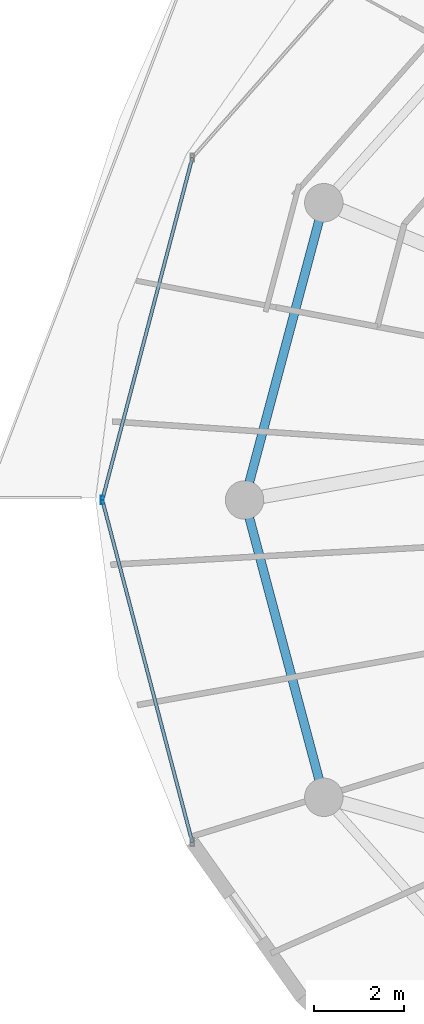
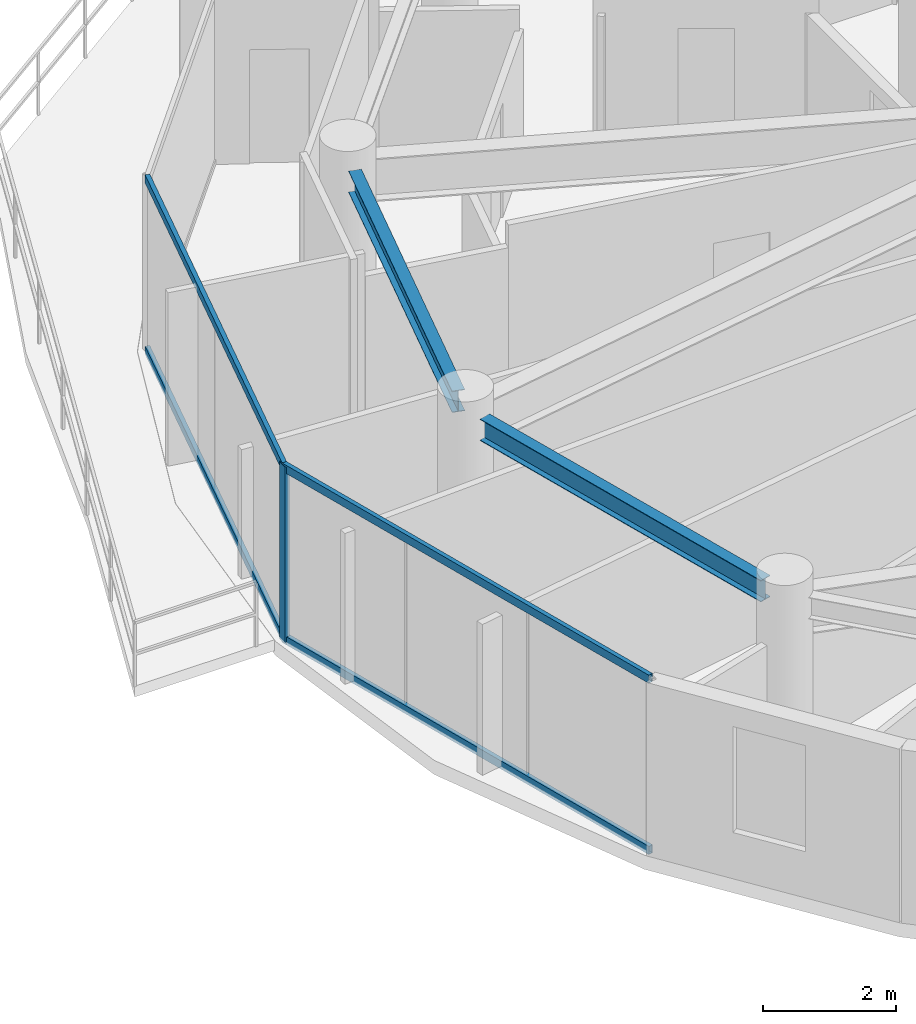
# One storey, part 5 of 25: 5 members, 2 beams, 1 element without a shape of its own.
"""IFC4 building model written with IfcOpenShell, lengths in metres."""

import ifcopenshell
import ifcopenshell.guid

model = None  # the IFC model being written
_history = None  # IfcOwnerHistory: only IFC2X3 demands one
_inside = {}  # id of a spatial element -> (the spatial element, [elements in it])
_under = {}  # id of a project, library or spatial element -> (it, [spatial elements below it])
_declared = {}  # id of a project -> (the project, [libraries it declares])
_typed = {}  # id of a type object -> (the type object, [elements of that type])
_made_of = {}  # id of a material, layer set ... -> (it, [elements and type objects made of it])


def new_model(schema):
    """Start an empty IFC model of exactly this schema.

    Asked for "IFC4X3", IfcOpenShell would pick the latest addendum, in which some entities
    have other attributes; the version numbers below select the first issue.
    IFC2X3 requires an IfcOwnerHistory on every rooted entity: one is made here for all.
    """
    global model, _history
    if schema == "IFC4X3":
        model = ifcopenshell.file(schema_version=(4, 3, 0, 0))
    else:
        model = ifcopenshell.file(schema=schema)
    _inside.clear()
    _under.clear()
    _declared.clear()
    _typed.clear()
    _made_of.clear()
    _history = None
    if model.schema == "IFC2X3":
        org = make("IfcOrganization", Name="unknown")
        user = make(
            "IfcPersonAndOrganization",
            ThePerson=make("IfcPerson", FamilyName="unknown"),
            TheOrganization=org,
        )
        app = make(
            "IfcApplication",
            ApplicationDeveloper=org,
            Version="unknown",
            ApplicationFullName="unknown",
            ApplicationIdentifier="unknown",
        )
        _history = make(
            "IfcOwnerHistory",
            OwningUser=user,
            OwningApplication=app,
            ChangeAction="ADDED",
            CreationDate=0,
        )
    return model


def make(cls, **values):
    """One entity of the class cls with the attributes given. An attribute that is None is left unset."""
    return model.create_entity(
        cls, **{name: value for name, value in values.items() if value is not None}
    )


def rooted(cls, **values):
    """An entity with a GlobalId (a new one), such as an element, a storey or a relation."""
    return make(cls, GlobalId=ifcopenshell.guid.new(), OwnerHistory=_history, **values)


def si_unit(unit_type, name, prefix=None):
    """IfcSIUnit, for example si_unit("LENGTHUNIT", "METRE", prefix="MILLI")."""
    return make("IfcSIUnit", UnitType=unit_type, Prefix=prefix, Name=name)


def assignment(units):
    """IfcUnitAssignment: the units of a project."""
    return None if units is None else make("IfcUnitAssignment", Units=units)


def point(xyz):
    """IfcCartesianPoint."""
    return None if xyz is None else make("IfcCartesianPoint", Coordinates=xyz)


def direction(xyz):
    """IfcDirection."""
    return None if xyz is None else make("IfcDirection", DirectionRatios=xyz)


def frame(location, z_axis=None, x_axis=None):
    """IfcAxis2Placement3D, a coordinate frame: its origin and axes. An axis left out is left unset."""
    return make(
        "IfcAxis2Placement3D",
        Location=point(location),
        Axis=direction(z_axis),
        RefDirection=direction(x_axis),
    )


def frame_2d(location, x_axis=None):
    """IfcAxis2Placement2D, a coordinate frame in the plane: its origin and x axis."""
    return make(
        "IfcAxis2Placement2D", Location=point(location), RefDirection=direction(x_axis)
    )


def origin():
    """The frame at (0, 0, 0) with its axes left unset."""
    return frame((0.0, 0.0, 0.0))


def origin_2d():
    """The frame at (0, 0) in the plane with its x axis left unset."""
    return frame_2d((0.0, 0.0))


def place(relative_to, where):
    """IfcLocalPlacement: puts the frame where relative to a parent placement (None: the world)."""
    return make(
        "IfcLocalPlacement", PlacementRelTo=relative_to, RelativePlacement=where
    )


def context(
    kind, dimensions, precision=None, world=None, true_north=None, identifier=None
):
    """IfcGeometricRepresentationContext, for example the 3D "Model" context."""
    return make(
        "IfcGeometricRepresentationContext",
        ContextIdentifier=identifier,
        ContextType=kind,
        CoordinateSpaceDimension=dimensions,
        Precision=precision,
        WorldCoordinateSystem=world,
        TrueNorth=true_north,
    )


def subcontext(parent, identifier, kind, view, scale=None):
    """IfcGeometricRepresentationSubContext, for example "Body" below "Model"."""
    return make(
        "IfcGeometricRepresentationSubContext",
        ContextIdentifier=identifier,
        ContextType=kind,
        ParentContext=parent,
        TargetScale=scale,
        TargetView=view,
    )


def project(units=None, contexts=None):
    """IfcProject with its units and contexts."""
    return rooted(
        "IfcProject",
        Name="project",
        RepresentationContexts=contexts,
        UnitsInContext=assignment(units),
    )


def spatial(cls, under=None, at=None, **own):
    """A site, building, storey or space (cls), placed at a placement, below another one or the project."""
    s = rooted(cls, ObjectPlacement=at, **own)
    if under is not None:
        _under.setdefault(under.id(), (under, []))[1].append(s)
    return s


def profile(cls, at=None, kind="AREA", **sizes):
    """A parametric profile (cls). Its sizes go by their IFC names, for example OverallWidth=200.0."""
    return make(cls, ProfileType=kind, Position=at, **sizes)


def hollow_rectangle(**sizes):
    """IfcRectangleHollowProfileDef."""
    return profile("IfcRectangleHollowProfileDef", **sizes)


def i_section(**sizes):
    """IfcIShapeProfileDef."""
    return profile("IfcIShapeProfileDef", **sizes)


def extrude(swept, where, along, depth):
    """IfcExtrudedAreaSolid: the profile swept, set in the frame where, extruded along a direction by depth."""
    return make(
        "IfcExtrudedAreaSolid",
        SweptArea=swept,
        Position=where,
        ExtrudedDirection=direction(along),
        Depth=depth,
    )


def shape(context_of_items, identifier, shape_type, items):
    """IfcShapeRepresentation: the items that make up one representation, for example the "Body"."""
    return make(
        "IfcShapeRepresentation",
        ContextOfItems=context_of_items,
        RepresentationIdentifier=identifier,
        RepresentationType=shape_type,
        Items=items,
    )


def material(Name=None, Category=None):
    """IfcMaterial."""
    return make("IfcMaterial", Name=Name, Category=Category)


def material_profile(
    of_material, cross_section, Name=None, Category=None, Priority=None
):
    """IfcMaterialProfile: a cross section and its material."""
    return make(
        "IfcMaterialProfile",
        Name=Name,
        Material=of_material,
        Profile=cross_section,
        Priority=Priority,
        Category=Category,
    )


def profile_set(profiles, Name=None, composite=None):
    """IfcMaterialProfileSet."""
    return make(
        "IfcMaterialProfileSet",
        Name=Name,
        MaterialProfiles=profiles,
        CompositeProfile=composite,
    )


def made_of(thing, what):
    """Note that an element or type object is made of a material, layer set ...; save() writes the relation."""
    if what is not None:
        _made_of.setdefault(what.id(), (what, []))[1].append(thing)
    return thing


def type_object(cls, material=None, **own):
    """A type object (cls), such as IfcWallType, which elements share."""
    return made_of(rooted(cls, **own), material)


def element(
    cls,
    number,
    at=None,
    inside=None,
    cuts=None,
    type_object=None,
    material=None,
    context=None,
    identifier="Body",
    shape_type=None,
    held_by="IfcProductDefinitionShape",
    body=None,
    shapes=None,
    **own,
):
    """One element of the class cls, such as IfcWall. Its Tag is "e" and its number.

    at: its placement. inside: the storey or other place that contains it. cuts: it is an
    opening in that element (IfcRelVoidsElement). A single representation is given by context,
    identifier, shape_type and body (its items); several are given by shapes. held_by: the class
    of the entity that holds the representations. save() writes the other relations.
    """
    e = rooted(cls, Tag="e%d" % number, ObjectPlacement=at, **own)
    if body is not None:
        shapes = [shape(context, identifier, shape_type, body)]
    if shapes is not None:
        e.Representation = make(held_by, Representations=shapes)
    if inside is not None:
        _inside.setdefault(inside.id(), (inside, []))[1].append(e)
    if cuts is not None:
        rooted(
            "IfcRelVoidsElement", RelatingBuildingElement=cuts, RelatedOpeningElement=e
        )
    if type_object is not None:
        _typed.setdefault(type_object.id(), (type_object, []))[1].append(e)
    return made_of(e, material)


def aggregate(whole, parts):
    """IfcRelAggregates: a whole, such as a stair, and the parts it consists of."""
    return rooted("IfcRelAggregates", RelatingObject=whole, RelatedObjects=parts)


def save(model, path):
    """Write the relations noted so far, then the file.

    IfcRelAggregates (storeys below a building ...), IfcRelContainedInSpatialStructure (elements
    in a storey), IfcRelDefinesByType, IfcRelAssociatesMaterial and IfcRelDeclares: one each for
    every whole, place, type object, material and project.
    """
    for whole, parts in _under.values():
        aggregate(whole, parts)
    for where, things in _inside.values():
        rooted(
            "IfcRelContainedInSpatialStructure",
            RelatedElements=things,
            RelatingStructure=where,
        )
    for kind, things in _typed.values():
        rooted("IfcRelDefinesByType", RelatedObjects=things, RelatingType=kind)
    for what, things in _made_of.values():
        rooted("IfcRelAssociatesMaterial", RelatedObjects=things, RelatingMaterial=what)
    for by, libraries in _declared.values():
        rooted("IfcRelDeclares", RelatingContext=by, RelatedDefinitions=libraries)
    model.write(path)


model = new_model("IFC4")

# Units and contexts
model_context = context("Model", 3, precision=1e-05, world=origin(), true_north=direction((0.0, 1.0)))
body_context = subcontext(model_context, "Body", "Model", "MODEL_VIEW")
ifc_project = project(units=[si_unit("LENGTHUNIT", "METRE"), si_unit("AREAUNIT", "SQUARE_METRE"), si_unit("VOLUMEUNIT", "CUBIC_METRE"), si_unit("PLANEANGLEUNIT", "RADIAN"), si_unit("MASSUNIT", "GRAM", prefix="KILO")], contexts=[model_context])

# Site, building, storey
site_placement = place(None, origin())
site = spatial("IfcSite", under=ifc_project, at=site_placement, CompositionType="ELEMENT")
building_placement = place(site_placement, origin())
building = spatial("IfcBuilding", under=site, at=building_placement, Name="Vorneva Point Tower", CompositionType="ELEMENT")
storey_placement = place(building_placement, frame((0.0, 0.0, 276.85009765625)))
storey = spatial("IfcBuildingStorey", under=building, at=storey_placement, Name="L75", CompositionType="ELEMENT", Elevation=276.85009765625)

# Beams
ifc_material_1 = material(Name="Steel S355", Category="steel")
ifc_material_profile_1 = material_profile(ifc_material_1, i_section(OverallWidth=0.198974609375, OverallDepth=0.39599609375, WebThickness=0.007080078125, FlangeThickness=0.010986328125, at=origin_2d()), Name="40B1")
ifc_profile_set_1 = profile_set([ifc_material_profile_1], Name="Steel S355")
beam_type = type_object("IfcBeamType", Name="BM-SPN-40B1", PredefinedType="SPANDREL", material=ifc_profile_set_1)
for number, where, z_axis, x_axis, name in (
    (1, (16.59912109375, 32.18603515625, 2.991943359375), (-0.257586570866, -0.966255224312, 0.0), (0.966255224312, -0.257586570866, 0.0), "L75 Perimeter Spandrel Ring Beam 08"),
    (2, (15.0556640625, 25.603759765625, 2.991943359375), (0.257586570866, -0.966255224312, 0.0), (0.966255224312, 0.257586570866, 0.0), "L75 Perimeter Spandrel Ring Beam 09"),
):
    element("IfcBeam", number, at=place(storey_placement, frame(where, z_axis=z_axis, x_axis=x_axis)), inside=storey, type_object=beam_type, Name=name, PredefinedType="SPANDREL", context=body_context, shape_type="SweptSolid", body=[
        extrude(i_section(OverallWidth=0.198974609375, OverallDepth=0.39599609375, WebThickness=0.007080078125, FlangeThickness=0.010986328125, at=origin_2d()), origin(), (0.0, 0.0, 1.0), 5.991943359375),
    ])

# Curtain wall, members
ifc_material_2 = material(Name="Pale anodised aluminium", Category="aluminium")
curtain_wall_type = type_object("IfcCurtainWallType", Name="CW-RES-SYS", PredefinedType="NOTDEFINED", material=ifc_material_2)
curtain_wall_placement = place(storey_placement, origin())
curtain_wall = element("IfcCurtainWall", 3, at=curtain_wall_placement, inside=storey, type_object=curtain_wall_type, Name="L75 Unitised Curtain Wall CW-L75-R03", PredefinedType="NOTDEFINED")
ifc_material_profile_2 = material_profile(ifc_material_2, hollow_rectangle(XDim=0.074951171875, YDim=0.179931640625, WallThickness=0.00390625, at=origin_2d()), Name="AL-MUL 180x75x4")
ifc_profile_set_2 = profile_set([ifc_material_profile_2], Name="Pale anodised aluminium")
member_type_1 = type_object("IfcMemberType", Name="CW-MUL-180", PredefinedType="MULLION", material=ifc_profile_set_2)
member_1_placement = place(storey_placement, frame((11.800048828125, 26.0, -0.0400390625), z_axis=(0.0, 0.0, 1.0), x_axis=(1.0, 0.0, 0.0)))
member_1 = element("IfcMember", 4, at=member_1_placement, type_object=member_type_1, Name="CW-L75-R03 Mullion 03", PredefinedType="MULLION", context=body_context, shape_type="SweptSolid", body=[
    extrude(hollow_rectangle(XDim=0.074951171875, YDim=0.179931640625, WallThickness=0.00390625, at=origin_2d()), origin(), (0.0, 0.0, 1.0), 3.260009765625),
])
ifc_material_profile_3 = material_profile(ifc_material_2, hollow_rectangle(XDim=0.074951171875, YDim=0.14990234375, WallThickness=0.00390625, at=origin_2d()), Name="AL-TRN 150x75x4")
ifc_profile_set_3 = profile_set([ifc_material_profile_3], Name="Pale anodised aluminium")
member_type_2 = type_object("IfcMemberType", Name="CW-TRN-150", PredefinedType="USERDEFINED", material=ifc_profile_set_3)
member_2_placement = place(storey_placement, frame((13.79443359375, 33.5810546875, 0.02001953125), z_axis=(-0.254418180926, -0.967094302131, 0.0), x_axis=(0.967094302131, -0.254418180926, 0.0)))
member_2 = element("IfcMember", 5, at=member_2_placement, type_object=member_type_2, Name="CW-L75-R03 Transom 02.1", ObjectType="TRANSOM", PredefinedType="USERDEFINED", context=body_context, shape_type="SweptSolid", body=[
    extrude(hollow_rectangle(XDim=0.074951171875, YDim=0.14990234375, WallThickness=0.00390625, at=origin_2d()), origin(), (0.0, 0.0, 1.0), 7.839111328125),
])
member_3_placement = place(storey_placement, frame((13.79443359375, 33.5810546875, 3.169921875), z_axis=(-0.254418180926, -0.967094302131, 0.0), x_axis=(0.967094302131, -0.254418180926, 0.0)))
member_3 = element("IfcMember", 6, at=member_3_placement, type_object=member_type_2, Name="CW-L75-R03 Transom 02.2", ObjectType="TRANSOM", PredefinedType="USERDEFINED", context=body_context, shape_type="SweptSolid", body=[
    extrude(hollow_rectangle(XDim=0.074951171875, YDim=0.14990234375, WallThickness=0.00390625, at=origin_2d()), origin(), (0.0, 0.0, 1.0), 7.839111328125),
])
member_4_placement = place(storey_placement, frame((11.800048828125, 26.0, 0.02001953125), z_axis=(0.254418180926, -0.967094302131, 0.0), x_axis=(0.967094302131, 0.254418180926, 0.0)))
member_4 = element("IfcMember", 7, at=member_4_placement, type_object=member_type_2, Name="CW-L75-R03 Transom 03.1", ObjectType="TRANSOM", PredefinedType="USERDEFINED", context=body_context, shape_type="SweptSolid", body=[
    extrude(hollow_rectangle(XDim=0.074951171875, YDim=0.14990234375, WallThickness=0.00390625, at=origin_2d()), origin(), (0.0, 0.0, 1.0), 7.839111328125),
])
member_5_placement = place(storey_placement, frame((11.800048828125, 26.0, 3.169921875), z_axis=(0.254418180926, -0.967094302131, 0.0), x_axis=(0.967094302131, 0.254418180926, 0.0)))
member_5 = element("IfcMember", 8, at=member_5_placement, type_object=member_type_2, Name="CW-L75-R03 Transom 03.2", ObjectType="TRANSOM", PredefinedType="USERDEFINED", context=body_context, shape_type="SweptSolid", body=[
    extrude(hollow_rectangle(XDim=0.074951171875, YDim=0.14990234375, WallThickness=0.00390625, at=origin_2d()), origin(), (0.0, 0.0, 1.0), 7.839111328125),
])
aggregate(curtain_wall, [member_1, member_2, member_3, member_4, member_5])

save(model, "model.ifc")
